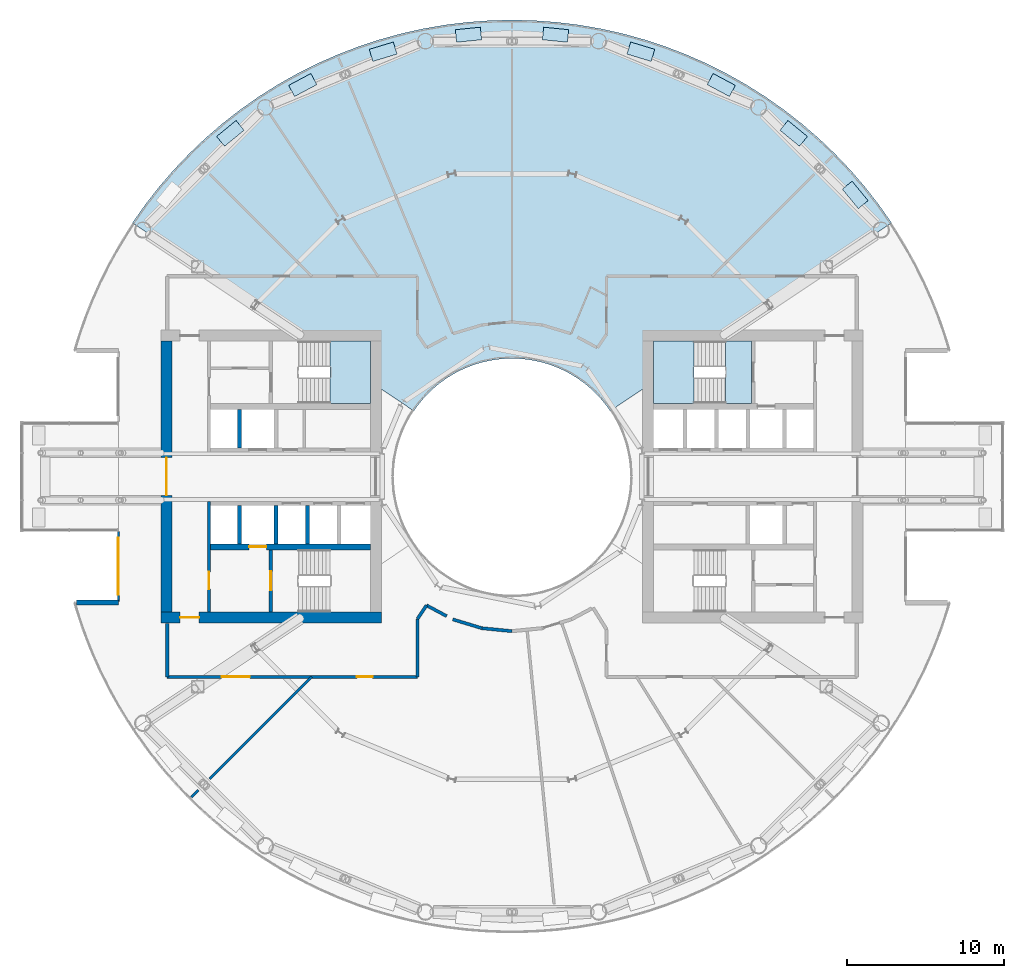
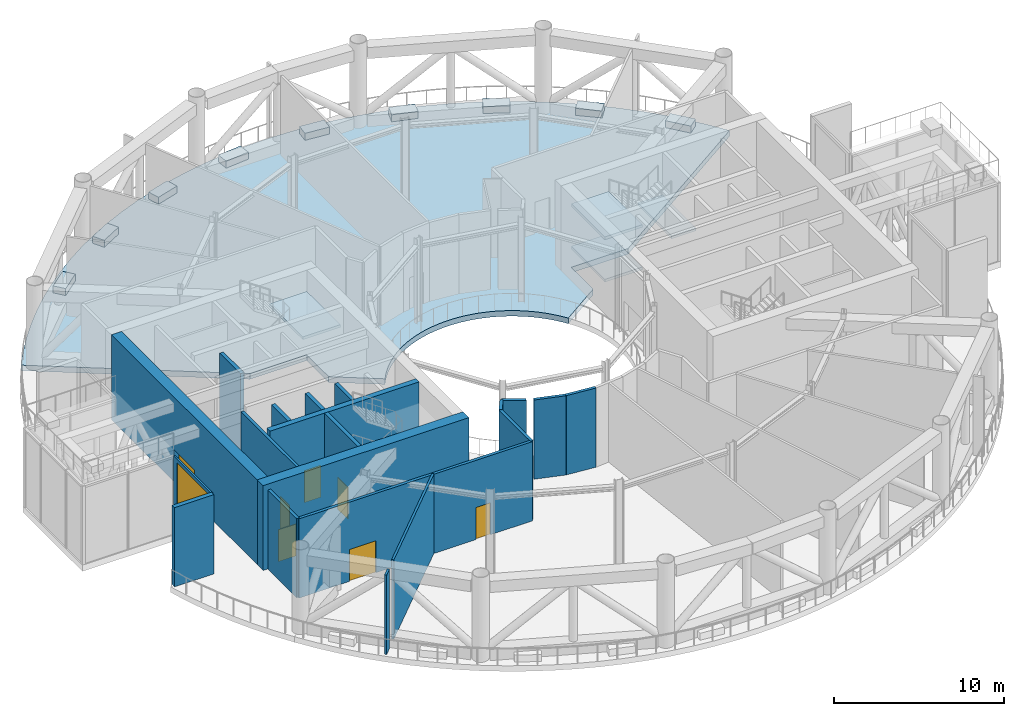
# One storey, part 11 of 23: 20 walls, 14 slabs, 7 doors, 1 window, 8 openings, 2 elements without a shape of their own.
"""IFC4 building model written with IfcOpenShell, lengths in metres."""

from ifc_helpers import new_model, si_unit, direction, frame, frame_2d, origin, place, context, subcontext, project, spatial, polyline, rectangle, outline, extrude, material, layer, layer_set, type_object, element, fill, aggregate, save


model = new_model("IFC4")

# Units and contexts
model_context = context("Model", 3, precision=1e-05, world=origin(), true_north=direction((0.0, 1.0)))
body_context = subcontext(model_context, "Body", "Model", "MODEL_VIEW")
ifc_project = project(units=[si_unit("LENGTHUNIT", "METRE"), si_unit("AREAUNIT", "SQUARE_METRE"), si_unit("VOLUMEUNIT", "CUBIC_METRE"), si_unit("PLANEANGLEUNIT", "RADIAN"), si_unit("MASSUNIT", "GRAM", prefix="KILO")], contexts=[model_context])

# Site, building, storey
site_placement = place(None, origin())
site = spatial("IfcSite", under=ifc_project, at=site_placement, CompositionType="ELEMENT")
building_placement = place(site_placement, origin())
building = spatial("IfcBuilding", under=site, at=building_placement, Name="Maasbend Ring Residences", CompositionType="ELEMENT")
storey_placement = place(building_placement, frame((0.0, 0.0, 97.14990234375)))
storey = spatial("IfcBuildingStorey", under=building, at=storey_placement, Name="L28", CompositionType="ELEMENT", Elevation=97.14990234375)

# Stair, slabs
ifc_material_1 = material(Name="Concrete C40/50", Category="concrete")
stair_type = type_object("IfcStairType", Name="CORE STAIR 36 RISERS", PredefinedType="HALF_TURN_STAIR", material=ifc_material_1)
stair_1_placement = place(storey_placement, origin())
stair_1 = element("IfcStair", 1, at=stair_1_placement, inside=storey, type_object=stair_type, Name="L28 Exit stair ST-E1", PredefinedType="HALF_TURN_STAIR")
ifc_material_2 = material(Name="Concrete C40/50", Category="concrete")
ifc_layer_1 = layer(ifc_material_2, 0.199951171875)
ifc_layer_set_1 = layer_set([ifc_layer_1], Name="Concrete C40/50")
slab_type_1 = type_object("IfcSlabType", Name="CORE STAIR LANDING 200", PredefinedType="LANDING", material=ifc_layer_set_1)
slab_1_placement = place(storey_placement, frame((0.0, 0.0, 1.3251953125)))
slab_1 = element("IfcSlab", 2, at=slab_1_placement, type_object=slab_type_1, Name="ST-E1 landing 1", PredefinedType="LANDING", context=body_context, shape_type="SweptSolid", body=[
    extrude(outline(polyline([(11.550048828125, 8.60009765625), (9.0, 8.60009765625), (9.0, 4.64990234375), (11.550048828125, 4.64990234375), (11.550048828125, 8.60009765625)])), origin(), (0.0, 0.0, 1.0), 0.199951171875),
])
slab_2_placement = place(storey_placement, frame((0.0, 0.0, 2.85009765625)))
slab_2 = element("IfcSlab", 3, at=slab_2_placement, type_object=slab_type_1, Name="ST-E1 landing 2", PredefinedType="LANDING", context=body_context, shape_type="SweptSolid", body=[
    extrude(outline(polyline([(15.199951171875, 8.60009765625), (13.550048828125, 8.60009765625), (13.550048828125, 4.64990234375), (15.199951171875, 4.64990234375), (15.199951171875, 8.60009765625)])), origin(), (0.0, 0.0, 1.0), 0.199951171875),
])
slab_3_placement = place(storey_placement, frame((0.0, 0.0, 4.375)))
slab_3 = element("IfcSlab", 4, at=slab_3_placement, type_object=slab_type_1, Name="ST-E1 landing 3", PredefinedType="LANDING", context=body_context, shape_type="SweptSolid", body=[
    extrude(outline(polyline([(11.550048828125, 8.60009765625), (9.0, 8.60009765625), (9.0, 4.64990234375), (11.550048828125, 4.64990234375), (11.550048828125, 8.60009765625)])), origin(), (0.0, 0.0, 1.0), 0.2001953125),
])
aggregate(stair_1, [slab_1, slab_2, slab_3])

# Stair, slab
stair_2_placement = place(storey_placement, origin())
stair_2 = element("IfcStair", 5, at=stair_2_placement, inside=storey, type_object=stair_type, Name="L28 Exit stair ST-W2", PredefinedType="HALF_TURN_STAIR")
slab_4_placement = place(storey_placement, frame((0.0, 0.0, 4.375)))
slab_4 = element("IfcSlab", 6, at=slab_4_placement, type_object=slab_type_1, Name="ST-W2 landing 3", PredefinedType="LANDING", context=body_context, shape_type="SweptSolid", body=[
    extrude(outline(polyline([(-11.550048828125, 4.64990234375), (-9.0, 4.64990234375), (-9.0, 8.60009765625), (-11.550048828125, 8.60009765625), (-11.550048828125, 4.64990234375)])), origin(), (0.0, 0.0, 1.0), 0.2001953125),
])
aggregate(stair_2, [slab_4])

# Slabs
ifc_material_3 = material(Name="Lawn and planting")
ifc_layer_2 = layer(ifc_material_3, 0.5)
ifc_layer_set_2 = layer_set([ifc_layer_2], Name="PLANTER-GD")
slab_type_2 = type_object("IfcSlabType", Name="PLANTER-GD", PredefinedType="USERDEFINED", material=ifc_layer_set_2)
slab_5_placement = place(storey_placement, origin())
element("IfcSlab", 7, at=slab_5_placement, inside=storey, type_object=slab_type_2, Name="Garden planter 1", ObjectType="PLANTER", PredefinedType="USERDEFINED", context=body_context, shape_type="SweptSolid", body=[
    extrude(outline(polyline([(22.615966796875, 17.52490234375), (21.60107421875, 18.761962890625), (20.98193359375, 18.2548828125), (21.9970703125, 17.01806640625), (22.615966796875, 17.52490234375)])), origin(), (0.0, 0.0, 1.0), 0.5),
])
slab_6_placement = place(storey_placement, origin())
element("IfcSlab", 8, at=slab_6_placement, inside=storey, type_object=slab_type_2, Name="Garden planter 2", ObjectType="PLANTER", PredefinedType="USERDEFINED", context=body_context, shape_type="SweptSolid", body=[
    extrude(outline(polyline([(18.761962890625, 21.60107421875), (17.52490234375, 22.615966796875), (17.01806640625, 21.9970703125), (18.2548828125, 20.98193359375), (18.761962890625, 21.60107421875)])), origin(), (0.0, 0.0, 1.0), 0.5),
])
slab_7_placement = place(storey_placement, origin())
element("IfcSlab", 9, at=slab_7_placement, inside=storey, type_object=slab_type_2, Name="Garden planter 3", ObjectType="PLANTER", PredefinedType="USERDEFINED", context=body_context, shape_type="SweptSolid", body=[
    extrude(outline(polyline([(14.18701171875, 24.845947265625), (12.77587890625, 25.60009765625), (12.39892578125, 24.89501953125), (13.81005859375, 24.139892578125), (14.18701171875, 24.845947265625)])), origin(), (0.0, 0.0, 1.0), 0.5),
])
slab_8_placement = place(storey_placement, origin())
element("IfcSlab", 10, at=slab_8_placement, inside=storey, type_object=slab_type_2, Name="Garden planter 4", ObjectType="PLANTER", PredefinedType="USERDEFINED", context=body_context, shape_type="SweptSolid", body=[
    extrude(outline(polyline([(9.068115234375, 27.135986328125), (7.537109375, 27.60107421875), (7.303955078125, 26.8349609375), (8.8349609375, 26.37109375), (9.068115234375, 27.135986328125)])), origin(), (0.0, 0.0, 1.0), 0.5),
])
slab_9_placement = place(storey_placement, origin())
element("IfcSlab", 11, at=slab_9_placement, inside=storey, type_object=slab_type_2, Name="Garden planter 5", ObjectType="PLANTER", PredefinedType="USERDEFINED", context=body_context, shape_type="SweptSolid", body=[
    extrude(outline(polyline([(3.59912109375, 28.384033203125), (2.007080078125, 28.541015625), (1.928955078125, 27.7451171875), (3.52099609375, 27.587890625), (3.59912109375, 28.384033203125)])), origin(), (0.0, 0.0, 1.0), 0.5),
])
slab_10_placement = place(storey_placement, origin())
element("IfcSlab", 12, at=slab_10_placement, inside=storey, type_object=slab_type_2, Name="Garden planter 6", ObjectType="PLANTER", PredefinedType="USERDEFINED", context=body_context, shape_type="SweptSolid", body=[
    extrude(outline(polyline([(-2.007080078125, 28.541015625), (-3.59912109375, 28.384033203125), (-3.52099609375, 27.587890625), (-1.928955078125, 27.7451171875), (-2.007080078125, 28.541015625)])), origin(), (0.0, 0.0, 1.0), 0.5),
])
slab_11_placement = place(storey_placement, origin())
element("IfcSlab", 13, at=slab_11_placement, inside=storey, type_object=slab_type_2, Name="Garden planter 7", ObjectType="PLANTER", PredefinedType="USERDEFINED", context=body_context, shape_type="SweptSolid", body=[
    extrude(outline(polyline([(-7.537109375, 27.60107421875), (-9.068115234375, 27.135986328125), (-8.8349609375, 26.37109375), (-7.303955078125, 26.8349609375), (-7.537109375, 27.60107421875)])), origin(), (0.0, 0.0, 1.0), 0.5),
])
slab_12_placement = place(storey_placement, origin())
element("IfcSlab", 14, at=slab_12_placement, inside=storey, type_object=slab_type_2, Name="Garden planter 8", ObjectType="PLANTER", PredefinedType="USERDEFINED", context=body_context, shape_type="SweptSolid", body=[
    extrude(outline(polyline([(-12.77587890625, 25.60009765625), (-14.18701171875, 24.845947265625), (-13.81005859375, 24.139892578125), (-12.39892578125, 24.89501953125), (-12.77587890625, 25.60009765625)])), origin(), (0.0, 0.0, 1.0), 0.5),
])
slab_13_placement = place(storey_placement, origin())
element("IfcSlab", 15, at=slab_13_placement, inside=storey, type_object=slab_type_2, Name="Garden planter 9", ObjectType="PLANTER", PredefinedType="USERDEFINED", context=body_context, shape_type="SweptSolid", body=[
    extrude(outline(polyline([(-17.52490234375, 22.615966796875), (-18.761962890625, 21.60107421875), (-18.2548828125, 20.98193359375), (-17.01806640625, 21.9970703125), (-17.52490234375, 22.615966796875)])), origin(), (0.0, 0.0, 1.0), 0.5),
])
ifc_material_4 = material(Name="Concrete C40/50", Category="concrete")
ifc_layer_3 = layer(ifc_material_4, 0.39990234375)
ifc_layer_set_3 = layer_set([ifc_layer_3], Name="Concrete C40/50")
slab_type_3 = type_object("IfcSlabType", Name="Post-tensioned flat plate 400", PredefinedType="FLOOR", material=ifc_layer_set_3)
slab_14_placement = place(storey_placement, frame((0.0, 0.0, -0.39990234375)))
element("IfcSlab", 16, at=slab_14_placement, inside=storey, type_object=slab_type_3, Name="Floor slab L28 sky garden", PredefinedType="FLOOR", context=body_context, shape_type="SweptSolid", body=[
    extrude(outline(polyline([(-24.112548828125, 16.111572265625), (-12.870849609375, 8.60009765625), (-9.0, 8.60009765625), (-9.0, 6.013671875), (-6.236083984375, 4.166748046875), (-6.024169921875, 4.4677734375), (-5.797607421875, 4.7578125), (-5.55712890625, 5.03662109375), (-5.30322265625, 5.30322265625), (-5.03662109375, 5.55712890625), (-4.7578125, 5.797607421875), (-4.4677734375, 6.024169921875), (-4.166748046875, 6.236083984375), (-3.855712890625, 6.43310546875), (-3.535400390625, 6.614501953125), (-3.206787109375, 6.77978515625), (-2.8701171875, 6.92919921875), (-2.526611328125, 7.0615234375), (-2.177001953125, 7.177001953125), (-1.822509765625, 7.275146484375), (-1.463134765625, 7.35595703125), (-1.1005859375, 7.418701171875), (-0.735107421875, 7.4638671875), (-0.367919921875, 7.490966796875), (0.0, 7.5), (0.367919921875, 7.490966796875), (0.735107421875, 7.4638671875), (1.1005859375, 7.418701171875), (1.463134765625, 7.35595703125), (1.822509765625, 7.275146484375), (2.177001953125, 7.177001953125), (2.526611328125, 7.0615234375), (2.8701171875, 6.92919921875), (3.206787109375, 6.77978515625), (3.535400390625, 6.614501953125), (3.855712890625, 6.43310546875), (4.166748046875, 6.236083984375), (4.4677734375, 6.024169921875), (4.7578125, 5.797607421875), (5.03662109375, 5.55712890625), (5.30322265625, 5.30322265625), (5.55712890625, 5.03662109375), (5.797607421875, 4.7578125), (6.024169921875, 4.4677734375), (6.236083984375, 4.166748046875), (9.0, 6.013671875), (9.0, 8.60009765625), (12.870849609375, 8.60009765625), (24.112548828125, 16.111572265625), (23.29296875, 17.275390625), (22.417236328125, 18.3974609375), (21.487548828125, 19.47509765625), (20.506103515625, 20.506103515625), (19.47509765625, 21.487548828125), (18.3974609375, 22.417236328125), (17.275390625, 23.29296875), (16.111572265625, 24.112548828125), (14.908935546875, 24.8740234375), (13.67041015625, 25.57568359375), (12.399169921875, 26.2158203125), (11.097900390625, 26.79248046875), (9.769775390625, 27.3046875), (8.418212890625, 27.751220703125), (7.04638671875, 28.130859375), (5.65771484375, 28.44287109375), (4.255126953125, 28.68603515625), (2.842529296875, 28.8603515625), (1.423095703125, 28.965087890625), (0.0, 29.0), (-1.423095703125, 28.965087890625), (-2.842529296875, 28.8603515625), (-4.255126953125, 28.68603515625), (-5.65771484375, 28.44287109375), (-7.04638671875, 28.130859375), (-8.418212890625, 27.751220703125), (-9.769775390625, 27.3046875), (-11.097900390625, 26.79248046875), (-12.399169921875, 26.2158203125), (-13.67041015625, 25.57568359375), (-14.908935546875, 24.8740234375), (-16.111572265625, 24.112548828125), (-17.275390625, 23.29296875), (-18.3974609375, 22.417236328125), (-19.47509765625, 21.487548828125), (-20.506103515625, 20.506103515625), (-21.487548828125, 19.47509765625), (-22.417236328125, 18.3974609375), (-23.29296875, 17.275390625), (-24.112548828125, 16.111572265625)])), origin(), (0.0, 0.0, 1.0), 0.39990234375),
])

# Wall, opening, door
ifc_material_5 = material(Name="Concrete C70/85", Category="concrete")
ifc_layer_4 = layer(ifc_material_5, 0.25)
ifc_layer_set_4 = layer_set([ifc_layer_4], Name="Concrete C70/85")
wall_type_1 = type_object("IfcWallType", Name="CORE WALL 250 C70/85", PredefinedType="SHEAR", material=ifc_layer_set_4)
wall_1_placement = place(storey_placement, frame((-15.324951171875, -4.64990234375, 0.0), z_axis=(0.0, 0.0, 1.0), x_axis=(0.0, -1.0, 0.0)))
wall_1 = element("IfcWall", 17, at=wall_1_placement, inside=storey, type_object=wall_type_1, Name="L28 core W wall STEN", PredefinedType="SHEAR", context=body_context, shape_type="SweptSolid", body=[
    extrude(rectangle(XDim=3.9501953125, YDim=0.25, at=frame_2d((1.97509765625, 0.0))), origin(), (0.0, 0.0, 1.0), 6.10009765625),
])
opening_1_placement = place(wall_1_placement, frame((1.375, 0.0, 0.0)))
opening_1 = element("IfcOpeningElement", 18, at=opening_1_placement, cuts=wall_1, Name="Opening D-W2809", PredefinedType="OPENING", context=body_context, shape_type="SweptSolid", body=[
    extrude(rectangle(XDim=1.199951171875, YDim=2.300048828125, at=frame_2d((0.60009765625, 1.14990234375))), frame((0.0, 0.135009765625, 0.0), z_axis=(0.0, -1.0, 0.0), x_axis=(1.0, 0.0, 0.0)), (0.0, 0.0, 1.0), 0.27001953125),
])
ifc_material_6 = material(Name="Steel, powder coated", Category="steel")
door_type_1 = type_object("IfcDoorType", Name="STAIR DOOR 1200 X 2300 FD60", OperationType="NOTDEFINED", PredefinedType="DOOR", material=ifc_material_6)
door_1_placement = place(opening_1_placement, origin())
door_1 = element("IfcDoor", 19, at=door_1_placement, inside=storey, type_object=door_type_1, Name="Stair door ST-W L28", OperationType="SINGLE_SWING_LEFT", OverallHeight=2.300048828125, OverallWidth=1.199951171875, PredefinedType="DOOR", context=body_context, shape_type="SweptSolid", body=[
    extrude(rectangle(XDim=1.199951171875, YDim=2.300048828125, at=frame_2d((0.60009765625, 1.14990234375))), frame((0.0, 0.02490234375, 0.0), z_axis=(0.0, -1.0, 0.0), x_axis=(1.0, 0.0, 0.0)), (0.0, 0.0, 1.0), 0.050048828125),
])
fill(opening_1, door_1)

ifc_material_7 = material(Name="Concrete C70/85", Category="concrete")
ifc_layer_5 = layer(ifc_material_7, 0.375)
ifc_layer_set_5 = layer_set([ifc_layer_5], Name="Concrete C70/85")
wall_type_2 = type_object("IfcWallType", Name="CORE WALL 375 C70/85", PredefinedType="SHEAR", material=ifc_layer_set_5)
wall_2_placement = place(storey_placement, frame((-9.0, -4.46240234375, 0.0), z_axis=(0.0, 0.0, 1.0), x_axis=(-1.0, 0.0, 0.0)))
wall_2 = element("IfcWall", 20, at=wall_2_placement, inside=storey, type_object=wall_type_2, Name="L28 core W wall BN", PredefinedType="SHEAR", context=body_context, shape_type="SweptSolid", body=[
    extrude(rectangle(XDim=10.14990234375, YDim=0.375, at=frame_2d((5.074951171875, 0.0))), origin(), (0.0, 0.0, 1.0), 6.10009765625),
])
opening_2_placement = place(wall_2_placement, frame((6.60009765625, 0.0, 0.0)))
opening_2 = element("IfcOpeningElement", 21, at=opening_2_placement, cuts=wall_2, Name="Opening LD-W2804", PredefinedType="OPENING", context=body_context, shape_type="SweptSolid", body=[
    extrude(rectangle(XDim=1.10009765625, YDim=2.300048828125, at=frame_2d((0.550048828125, 1.14990234375))), frame((0.0, 0.197509765625, 0.0), z_axis=(0.0, -1.0, 0.0), x_axis=(1.0, 0.0, 0.0)), (0.0, 0.0, 1.0), 0.39501953125),
])
ifc_material_8 = material(Name="Stainless steel 316", Category="steel")
door_type_2 = type_object("IfcDoorType", Name="LANDING DOOR 1100 X 2300 FD60", OperationType="DOUBLE_DOOR_SLIDING", PredefinedType="DOOR", material=ifc_material_8)
door_2_placement = place(opening_2_placement, origin())
door_2 = element("IfcDoor", 22, at=door_2_placement, inside=storey, type_object=door_type_2, Name="Landing door FF-W L28", OperationType="DOUBLE_DOOR_SLIDING", OverallHeight=2.300048828125, OverallWidth=1.10009765625, PredefinedType="DOOR", context=body_context, shape_type="SweptSolid", body=[
    extrude(rectangle(XDim=1.10009765625, YDim=2.300048828125, at=frame_2d((0.550048828125, 1.14990234375))), frame((0.0, 0.02490234375, 0.0), z_axis=(0.0, -1.0, 0.0), x_axis=(1.0, 0.0, 0.0)), (0.0, 0.0, 1.0), 0.050048828125),
])
fill(opening_2, door_2)

ifc_material_9 = material(Name="Concrete C70/85", Category="concrete")
ifc_layer_6 = layer(ifc_material_9, 0.699951171875)
ifc_layer_set_6 = layer_set([ifc_layer_6], Name="Concrete C70/85")
wall_type_3 = type_object("IfcWallType", Name="CORE WALL 700 C70/85", PredefinedType="SHEAR", material=ifc_layer_set_6)
wall_3_placement = place(storey_placement, frame((-22.300048828125, -8.949951171875, 0.0), z_axis=(0.0, 0.0, 1.0), x_axis=(1.0, 0.0, 0.0)))
wall_3 = element("IfcWall", 23, at=wall_3_placement, inside=storey, type_object=wall_type_3, Name="L28 core W wall PN", PredefinedType="SHEAR", context=body_context, shape_type="SweptSolid", body=[
    extrude(rectangle(XDim=14.0, YDim=0.699951171875, at=frame_2d((7.0, 0.0))), origin(), (0.0, 0.0, 1.0), 6.10009765625),
])
opening_3_placement = place(wall_3_placement, frame((1.22509765625, 0.0, 0.0)))
opening_3 = element("IfcOpeningElement", 24, at=opening_3_placement, cuts=wall_3, Name="Opening D-W2813", PredefinedType="OPENING", context=body_context, shape_type="SweptSolid", body=[
    extrude(rectangle(XDim=1.199951171875, YDim=2.300048828125, at=frame_2d((0.60009765625, 1.14990234375))), frame((0.0, 0.35986328125, 0.0), z_axis=(0.0, -1.0, 0.0), x_axis=(1.0, 0.0, 0.0)), (0.0, 0.0, 1.0), 0.719970703125),
])
ifc_material_10 = material(Name="Steel, powder coated", Category="steel")
door_type_3 = type_object("IfcDoorType", Name="CORRIDOR DOOR 1200 X 2300 FD30S", OperationType="NOTDEFINED", PredefinedType="DOOR", material=ifc_material_10)
door_3_placement = place(opening_3_placement, origin())
door_3 = element("IfcDoor", 25, at=door_3_placement, inside=storey, type_object=door_type_3, Name="Corridor door L28", OperationType="SINGLE_SWING_RIGHT", OverallHeight=2.300048828125, OverallWidth=1.199951171875, PredefinedType="DOOR", context=body_context, shape_type="SweptSolid", body=[
    extrude(rectangle(XDim=1.199951171875, YDim=2.300048828125, at=frame_2d((0.60009765625, 1.14990234375))), frame((0.0, 0.02490234375, 0.0), z_axis=(0.0, -1.0, 0.0), x_axis=(1.0, 0.0, 0.0)), (0.0, 0.0, 1.0), 0.050048828125),
])
fill(opening_3, door_3)

wall_4_placement = place(storey_placement, frame((-21.949951171875, -8.60009765625, 0.0), z_axis=(0.0, 0.0, 1.0), x_axis=(0.0, 1.0, 0.0)))
wall_4 = element("IfcWall", 26, at=wall_4_placement, inside=storey, type_object=wall_type_3, Name="L28 core W wall POUT", PredefinedType="SHEAR", context=body_context, shape_type="SweptSolid", body=[
    extrude(rectangle(XDim=17.2001953125, YDim=0.699951171875, at=frame_2d((8.60009765625, 0.0))), origin(), (0.0, 0.0, 1.0), 6.10009765625),
])
opening_4_placement = place(wall_4_placement, frame((7.39990234375, 0.0, 0.0)))
opening_4 = element("IfcOpeningElement", 27, at=opening_4_placement, cuts=wall_4, Name="Opening D-W2815", PredefinedType="OPENING", context=body_context, shape_type="SweptSolid", body=[
    extrude(rectangle(XDim=2.39990234375, YDim=2.300048828125, at=frame_2d((1.199951171875, 1.14990234375))), frame((0.0, 0.35986328125, 0.0), z_axis=(0.0, -1.0, 0.0), x_axis=(1.0, 0.0, 0.0)), (0.0, 0.0, 1.0), 0.719970703125),
])
ifc_material_11 = material(Name="Aluminium frame, clear glass", Category="aluminium")
door_type_4 = type_object("IfcDoorType", Name="ENTRANCE DOOR 2400 X 2300 FD60", OperationType="NOTDEFINED", PredefinedType="DOOR", material=ifc_material_11)
door_4_placement = place(opening_4_placement, origin())
door_4 = element("IfcDoor", 28, at=door_4_placement, inside=storey, type_object=door_type_4, Name="Lobby glazed door L28", OperationType="SINGLE_SWING_LEFT", OverallHeight=2.300048828125, OverallWidth=2.39990234375, PredefinedType="DOOR", context=body_context, shape_type="SweptSolid", body=[
    extrude(rectangle(XDim=2.39990234375, YDim=2.300048828125, at=frame_2d((1.199951171875, 1.14990234375))), frame((0.0, 0.02490234375, 0.0), z_axis=(0.0, -1.0, 0.0), x_axis=(1.0, 0.0, 0.0)), (0.0, 0.0, 1.0), 0.050048828125),
])
fill(opening_4, door_4)

# Wall, openings, doors
ifc_material_12 = material(Name="Concrete C30/37", Category="concrete")
ifc_layer_7 = layer(ifc_material_12, 0.199951171875)
ifc_layer_set_7 = layer_set([ifc_layer_7], Name="Concrete C30/37")
wall_type_4 = type_object("IfcWallType", Name="CORRIDOR WALL 200 CONCRETE", PredefinedType="PARTITIONING", material=ifc_layer_set_7)
wall_5_placement = place(storey_placement, frame((-21.89990234375, -12.719970703125, 0.0), z_axis=(0.0, 0.0, 1.0), x_axis=(1.0, 0.0, 0.0)))
wall_5 = element("IfcWall", 29, at=wall_5_placement, inside=storey, type_object=wall_type_4, Name="U-L28-w003", PredefinedType="PARTITIONING", context=body_context, shape_type="SweptSolid", body=[
    extrude(rectangle(XDim=15.89990234375, YDim=0.199951171875, at=frame_2d((7.949951171875, 0.0))), origin(), (0.0, 0.0, 1.0), 5.7001953125),
])
opening_5_placement = place(wall_5_placement, frame((12.0400390625, 0.0, 0.0)))
opening_5 = element("IfcOpeningElement", 30, at=opening_5_placement, cuts=wall_5, Name="Opening D-2806", PredefinedType="OPENING", context=body_context, shape_type="SweptSolid", body=[
    extrude(rectangle(XDim=1.0, YDim=2.300048828125, at=frame_2d((0.5, 1.14990234375))), frame((0.0, 0.10986328125, 0.0), z_axis=(0.0, -1.0, 0.0), x_axis=(1.0, 0.0, 0.0)), (0.0, 0.0, 1.0), 0.219970703125),
])
opening_6_placement = place(wall_5_placement, frame((3.449951171875, 0.0, 0.0)))
opening_6 = element("IfcOpeningElement", 31, at=opening_6_placement, cuts=wall_5, Name="Opening D-2812", PredefinedType="OPENING", context=body_context, shape_type="SweptSolid", body=[
    extrude(rectangle(XDim=1.800048828125, YDim=2.300048828125, at=frame_2d((0.89990234375, 1.14990234375))), frame((0.0, 0.10986328125, 0.0), z_axis=(0.0, -1.0, 0.0), x_axis=(1.0, 0.0, 0.0)), (0.0, 0.0, 1.0), 0.219970703125),
])
ifc_material_13 = material(Name="Timber, painted", Category="wood")
door_type_5 = type_object("IfcDoorType", Name="DOUBLE DOOR 1800 X 2300", OperationType="NOTDEFINED", PredefinedType="DOOR", material=ifc_material_13)
door_5_placement = place(opening_6_placement, origin())
door_5 = element("IfcDoor", 32, at=door_5_placement, inside=storey, type_object=door_type_5, Name="D-2812", OperationType="DOUBLE_DOOR_SINGLE_SWING", OverallHeight=2.300048828125, OverallWidth=1.800048828125, PredefinedType="DOOR", context=body_context, shape_type="SweptSolid", body=[
    extrude(rectangle(XDim=1.800048828125, YDim=2.300048828125, at=frame_2d((0.89990234375, 1.14990234375))), frame((0.0, 0.02490234375, 0.0), z_axis=(0.0, -1.0, 0.0), x_axis=(1.0, 0.0, 0.0)), (0.0, 0.0, 1.0), 0.050048828125),
])
fill(opening_6, door_5)
ifc_material_14 = material(Name="Timber, painted", Category="wood")
door_type_6 = type_object("IfcDoorType", Name="ROOM DOOR 1000 X 2300", OperationType="NOTDEFINED", PredefinedType="DOOR", material=ifc_material_14)
door_6_placement = place(opening_5_placement, origin())
door_6 = element("IfcDoor", 33, at=door_6_placement, inside=storey, type_object=door_type_6, Name="D-2806", OperationType="SINGLE_SWING_RIGHT", OverallHeight=2.300048828125, OverallWidth=1.0, PredefinedType="DOOR", context=body_context, shape_type="SweptSolid", body=[
    extrude(rectangle(XDim=1.0, YDim=2.300048828125, at=frame_2d((0.5, 1.14990234375))), frame((0.0, 0.02490234375, 0.0), z_axis=(0.0, -1.0, 0.0), x_axis=(1.0, 0.0, 0.0)), (0.0, 0.0, 1.0), 0.050048828125),
])
fill(opening_5, door_6)

# Walls
wall_6_placement = place(storey_placement, frame((-5.428955078125, -8.178955078125, 0.0), z_axis=(0.0, 0.0, 1.0), x_axis=(0.881652665802, -0.471898905364, 0.0)))
element("IfcWall", 34, at=wall_6_placement, inside=storey, type_object=wall_type_4, Name="U-L28-w005", PredefinedType="PARTITIONING", context=body_context, shape_type="SweptSolid", body=[
    extrude(rectangle(XDim=1.44970703125, YDim=0.199951171875, at=frame_2d((0.724853515625, 0.0))), origin(), (0.0, 0.0, 1.0), 5.7001953125),
])
wall_7_placement = place(storey_placement, frame((-3.758056640625, -9.072021484375, 0.0), z_axis=(0.0, 0.0, 1.0), x_axis=(0.956896312675, -0.29042976223, 0.0)))
element("IfcWall", 35, at=wall_7_placement, inside=storey, type_object=wall_type_4, Name="U-L28-w006", PredefinedType="PARTITIONING", context=body_context, shape_type="SweptSolid", body=[
    extrude(rectangle(XDim=1.925048828125, YDim=0.199951171875, at=frame_2d((0.96240234375, 0.0))), origin(), (0.0, 0.0, 1.0), 5.7001953125),
])
wall_8_placement = place(storey_placement, frame((-1.916015625, -9.631103515625, 0.0), z_axis=(0.0, 0.0, 1.0), x_axis=(0.995171860647, -0.098147683504, 0.0)))
element("IfcWall", 36, at=wall_8_placement, inside=storey, type_object=wall_type_4, Name="U-L28-w007", PredefinedType="PARTITIONING", context=body_context, shape_type="SweptSolid", body=[
    extrude(rectangle(XDim=1.92529296875, YDim=0.199951171875, at=frame_2d((0.962646484375, 0.0))), origin(), (0.0, 0.0, 1.0), 5.7001953125),
])
wall_9_placement = place(storey_placement, frame((-6.0, -9.033935546875, 0.0), z_axis=(0.0, 0.0, 1.0), x_axis=(0.555412364489, 0.831575075007, 0.0)))
element("IfcWall", 37, at=wall_9_placement, inside=storey, type_object=wall_type_4, Name="U-L28-w013", PredefinedType="PARTITIONING", context=body_context, shape_type="SweptSolid", body=[
    extrude(rectangle(XDim=1.028076171875, YDim=0.199951171875, at=frame_2d((0.51416015625, 0.0))), origin(), (0.0, 0.0, 1.0), 5.7001953125),
])
wall_10_placement = place(storey_placement, frame((-6.0, -12.719970703125, 0.0), z_axis=(0.0, 0.0, 1.0), x_axis=(0.0, 1.0, 0.0)))
element("IfcWall", 38, at=wall_10_placement, inside=storey, type_object=wall_type_4, Name="U-L28-w035", PredefinedType="PARTITIONING", context=body_context, shape_type="SweptSolid", body=[
    extrude(rectangle(XDim=3.68603515625, YDim=0.199951171875, at=frame_2d((1.843017578125, 0.0))), origin(), (0.0, 0.0, 1.0), 5.7001953125),
])
wall_11_placement = place(storey_placement, frame((-21.89990234375, -12.719970703125, 0.0), z_axis=(0.0, 0.0, 1.0), x_axis=(0.0, 1.0, 0.0)))
element("IfcWall", 39, at=wall_11_placement, inside=storey, type_object=wall_type_4, Name="U-L28-w046", PredefinedType="PARTITIONING", context=body_context, shape_type="SweptSolid", body=[
    extrude(rectangle(XDim=3.39990234375, YDim=0.199951171875, at=frame_2d((1.699951171875, 0.0))), origin(), (0.0, 0.0, 1.0), 5.7001953125),
])
ifc_material_15 = material(Name="Aluminium clad insulated panel", Category="aluminium")
ifc_layer_8 = layer(ifc_material_15, 0.300048828125)
ifc_layer_set_8 = layer_set([ifc_layer_8], Name="EW-RET")
wall_type_5 = type_object("IfcWallType", Name="EW-RET", PredefinedType="SOLIDWALL", material=ifc_layer_set_8)
wall_12_placement = place(storey_placement, frame((-25.0, -8.0, 0.0), z_axis=(0.0, 0.0, 1.0), x_axis=(-1.0, 0.0, 0.0)))
element("IfcWall", 40, at=wall_12_placement, inside=storey, type_object=wall_type_5, Name="Notch return wall west south", PredefinedType="SOLIDWALL", context=body_context, shape_type="SweptSolid", body=[
    extrude(rectangle(XDim=2.6669921875, YDim=0.300048828125, at=frame_2d((1.33349609375, 0.0))), origin(), (0.0, 0.0, 1.0), 5.7001953125),
])

# Wall, opening, window
ifc_material_16 = material(Name="Aluminium frame and clear glass", Category="aluminium")
ifc_layer_9 = layer(ifc_material_16, 0.1201171875)
ifc_layer_set_9 = layer_set([ifc_layer_9], Name="GLAZED SCREEN WALL 120 EI 60")
wall_type_6 = type_object("IfcWallType", Name="GLAZED SCREEN WALL 120 EI 60", PredefinedType="PARTITIONING", material=ifc_layer_set_9)
wall_13_placement = place(storey_placement, frame((-25.0, -3.5, 0.0), z_axis=(0.0, 0.0, 1.0), x_axis=(0.0, -1.0, 0.0)))
wall_13 = element("IfcWall", 41, at=wall_13_placement, inside=storey, type_object=wall_type_6, Name="L28 core W wall FACEB", PredefinedType="PARTITIONING", context=body_context, shape_type="SweptSolid", body=[
    extrude(rectangle(XDim=4.449951171875, YDim=0.1201171875, at=frame_2d((2.22509765625, 0.0))), origin(), (0.0, 0.0, 1.0), 5.7001953125),
])
opening_7_placement = place(wall_13_placement, frame((0.39990234375, 0.0, 0.10009765625)))
opening_7 = element("IfcOpeningElement", 42, at=opening_7_placement, cuts=wall_13, Name="Opening W-W2803", PredefinedType="OPENING", context=body_context, shape_type="SweptSolid", body=[
    extrude(rectangle(XDim=3.60009765625, YDim=5.35009765625, at=frame_2d((1.800048828125, 2.675048828125))), frame((0.0, 0.070068359375, 0.0), z_axis=(0.0, -1.0, 0.0), x_axis=(1.0, 0.0, 0.0)), (0.0, 0.0, 1.0), 0.14013671875),
])
ifc_material_17 = material(Name="Aluminium frame and clear glass", Category="aluminium")
window_type = type_object("IfcWindowType", Name="FIXED WINDOW 3600 X 5350", PartitioningType="SINGLE_PANEL", PredefinedType="WINDOW", material=ifc_material_17)
window_placement = place(opening_7_placement, origin())
window = element("IfcWindow", 43, at=window_placement, inside=storey, type_object=window_type, Name="Lobby window L28", OverallHeight=5.35009765625, OverallWidth=3.60009765625, PartitioningType="SINGLE_PANEL", PredefinedType="WINDOW", context=body_context, shape_type="SweptSolid", body=[
    extrude(rectangle(XDim=3.60009765625, YDim=5.35009765625, at=frame_2d((1.800048828125, 2.675048828125))), frame((0.0, 0.030029296875, 0.0), z_axis=(0.0, -1.0, 0.0), x_axis=(1.0, 0.0, 0.0)), (0.0, 0.0, 1.0), 0.06005859375),
])
fill(opening_7, window)

# Walls
ifc_material_18 = material(Name="Gypsum board on steel studs", Category="steel")
ifc_layer_10 = layer(ifc_material_18, 0.14990234375)
ifc_layer_set_10 = layer_set([ifc_layer_10], Name="PARTITION 150 GYPSUM")
wall_type_7 = type_object("IfcWallType", Name="PARTITION 150 GYPSUM", PredefinedType="PARTITIONING", material=ifc_layer_set_10)
wall_14_placement = place(storey_placement, frame((-20.364990234375, -20.364990234375, 0.0), z_axis=(0.0, 0.0, 1.0), x_axis=(0.707106781187, 0.707106781187, 0.0)))
element("IfcWall", 44, at=wall_14_placement, inside=storey, type_object=wall_type_7, Name="U-L28-w016", PredefinedType="PARTITIONING", context=body_context, shape_type="SweptSolid", body=[
    extrude(rectangle(XDim=0.64208984375, YDim=0.14990234375, at=frame_2d((0.321044921875, 0.0))), origin(), (0.0, 0.0, 1.0), 5.7001953125),
])
wall_15_placement = place(storey_placement, frame((-19.2041015625, -19.2041015625, 0.0), z_axis=(0.0, 0.0, 1.0), x_axis=(0.707106781187, 0.707106781187, 0.0)))
element("IfcWall", 45, at=wall_15_placement, inside=storey, type_object=wall_type_7, Name="U-L28-w017", PredefinedType="PARTITIONING", context=body_context, shape_type="SweptSolid", body=[
    extrude(rectangle(XDim=9.169921875, YDim=0.14990234375, at=frame_2d((4.5849609375, 0.0))), origin(), (0.0, 0.0, 1.0), 5.7001953125),
])

# Wall, opening, door
ifc_material_19 = material(Name="Concrete C30/37", Category="concrete")
ifc_layer_11 = layer(ifc_material_19, 0.199951171875)
ifc_layer_set_11 = layer_set([ifc_layer_11], Name="Concrete C30/37")
wall_type_8 = type_object("IfcWallType", Name="SHAFT WALL 200 EI 120", PredefinedType="SOLIDWALL", material=ifc_layer_set_11)
wall_16_placement = place(storey_placement, frame((-19.25, -1.574951171875, 0.0), z_axis=(0.0, 0.0, 1.0), x_axis=(0.0, -1.0, 0.0)))
wall_16 = element("IfcWall", 46, at=wall_16_placement, inside=storey, type_object=wall_type_8, Name="L28 core W wall ENDN", PredefinedType="SOLIDWALL", context=body_context, shape_type="SweptSolid", body=[
    extrude(rectangle(XDim=7.025146484375, YDim=0.199951171875, at=frame_2d((3.5126953125, 0.0))), origin(), (0.0, 0.0, 1.0), 5.7001953125),
])
opening_8_placement = place(wall_16_placement, frame((4.47509765625, 0.0, 0.0)))
opening_8 = element("IfcOpeningElement", 47, at=opening_8_placement, cuts=wall_16, Name="Opening D-W2811", PredefinedType="OPENING", context=body_context, shape_type="SweptSolid", body=[
    extrude(rectangle(XDim=1.10009765625, YDim=2.300048828125, at=frame_2d((0.550048828125, 1.14990234375))), frame((0.0, 0.10986328125, 0.0), z_axis=(0.0, -1.0, 0.0), x_axis=(1.0, 0.0, 0.0)), (0.0, 0.0, 1.0), 0.219970703125),
])
ifc_material_20 = material(Name="Steel, powder coated", Category="steel")
door_type_7 = type_object("IfcDoorType", Name="LOBBY DOOR 1100 X 2300 FD60", OperationType="NOTDEFINED", PredefinedType="DOOR", material=ifc_material_20)
door_7_placement = place(opening_8_placement, origin())
door_7 = element("IfcDoor", 48, at=door_7_placement, inside=storey, type_object=door_type_7, Name="Lobby door L28", OperationType="SINGLE_SWING_LEFT", OverallHeight=2.300048828125, OverallWidth=1.10009765625, PredefinedType="DOOR", context=body_context, shape_type="SweptSolid", body=[
    extrude(rectangle(XDim=1.10009765625, YDim=2.300048828125, at=frame_2d((0.550048828125, 1.14990234375))), frame((0.0, 0.02490234375, 0.0), z_axis=(0.0, -1.0, 0.0), x_axis=(1.0, 0.0, 0.0)), (0.0, 0.0, 1.0), 0.050048828125),
])
fill(opening_8, door_7)

# Walls
ifc_material_21 = material(Name="Concrete C30/37", Category="concrete")
ifc_layer_12 = layer(ifc_material_21, 0.25)
ifc_layer_set_12 = layer_set([ifc_layer_12], Name="Concrete C30/37")
wall_type_9 = type_object("IfcWallType", Name="SHAFT WALL 250 EI 120", PredefinedType="SOLIDWALL", material=ifc_layer_set_12)
for number, where, z_axis, x_axis, name in (
    (49, (-15.0, -1.824951171875, 0.0), (0.0, 0.0, 1.0), (0.0, -1.0, 0.0), "L28 core W wall D150N"),
    (50, (-17.300048828125, -1.824951171875, 0.0), (0.0, 0.0, 1.0), (0.0, -1.0, 0.0), "L28 core W wall D173N"),
    (51, (-17.300048828125, 1.824951171875, 0.0), (0.0, 0.0, 1.0), (0.0, 1.0, 0.0), "L28 core W wall D173S"),
    (52, (-13.0, -1.824951171875, 0.0), (0.0, 0.0, 1.0), (0.0, -1.0, 0.0), "L28 core W wall D130N"),
):
    element("IfcWall", number, at=place(storey_placement, frame(where, z_axis=z_axis, x_axis=x_axis)), inside=storey, type_object=wall_type_9, Name=name, PredefinedType="SOLIDWALL", context=body_context, shape_type="SweptSolid", body=[
        extrude(rectangle(XDim=2.449951171875, YDim=0.25, at=frame_2d((1.22509765625, 0.0))), origin(), (0.0, 0.0, 1.0), 5.7001953125),
    ])

save(model, "model.ifc")
